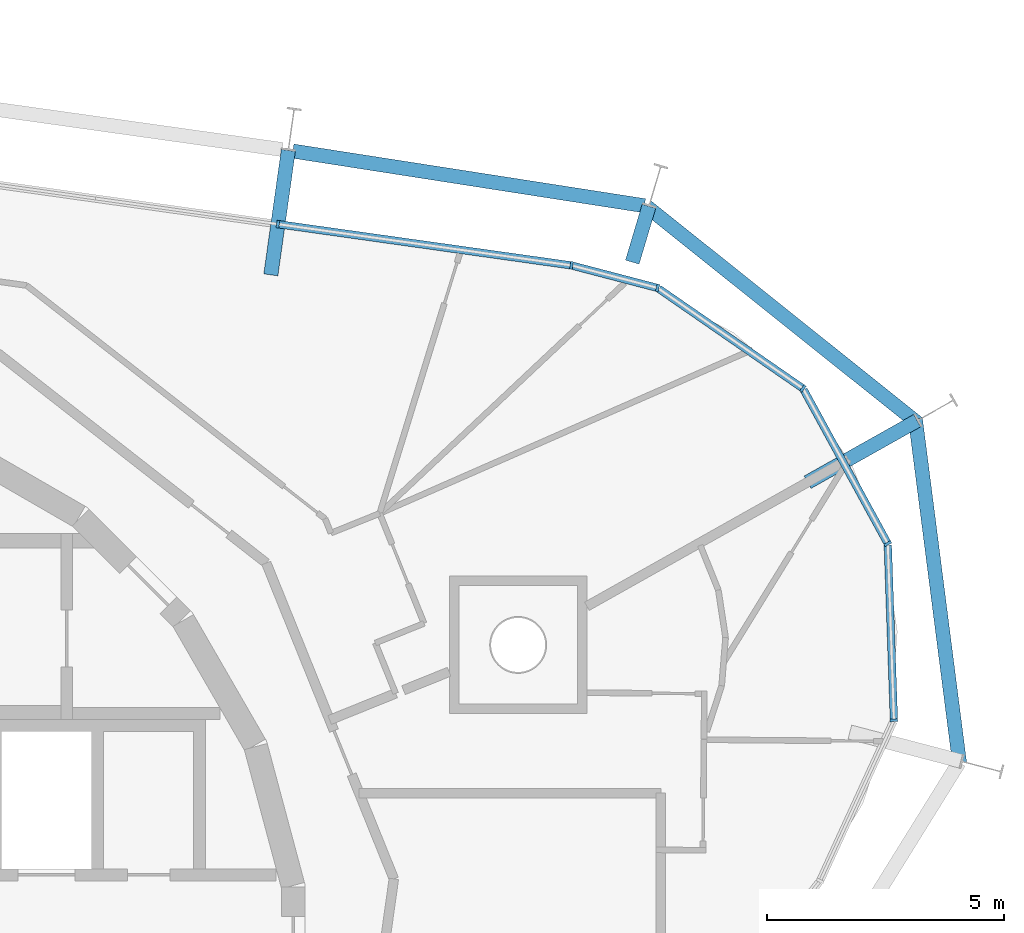
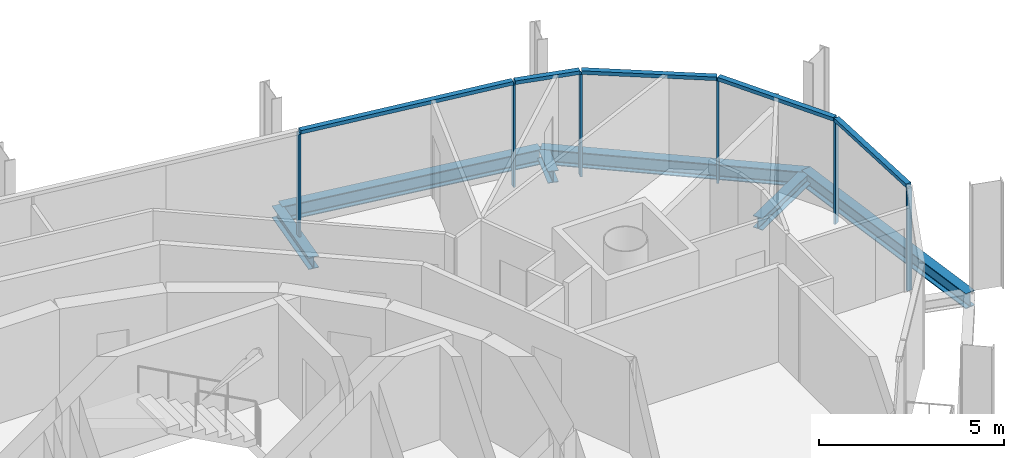
# One storey, part 7 of 15: 11 members, 6 beams, 2 elements without a shape of their own.
"""IFC4 building model written with IfcOpenShell, lengths in metres."""

from ifc_helpers import new_model, si_unit, direction, frame, origin, origin_2d, place, context, subcontext, project, spatial, rectangle, i_section, extrude, material, layer, layer_set, material_profile, profile_set, type_object, element, aggregate, save


model = new_model("IFC4")

# Units and contexts
model_context = context("Model", 3, precision=1e-05, world=origin(), true_north=direction((0.0, 1.0)))
body_context = subcontext(model_context, "Body", "Model", "MODEL_VIEW")
ifc_project = project(units=[si_unit("LENGTHUNIT", "METRE"), si_unit("AREAUNIT", "SQUARE_METRE"), si_unit("VOLUMEUNIT", "CUBIC_METRE"), si_unit("PLANEANGLEUNIT", "RADIAN"), si_unit("MASSUNIT", "GRAM", prefix="KILO")], contexts=[model_context])

# Site, building, storey
site_placement = place(None, origin())
site = spatial("IfcSite", under=ifc_project, at=site_placement, CompositionType="ELEMENT")
building_placement = place(site_placement, origin())
building = spatial("IfcBuilding", under=site, at=building_placement, Name="Spindle Arch Residences", CompositionType="ELEMENT")
storey_placement = place(building_placement, frame((0.0, 0.0, 340.0)))
storey = spatial("IfcBuildingStorey", under=building, at=storey_placement, Name="L87", CompositionType="ELEMENT", Elevation=340.0)

# Curtain wall, members
ifc_material_1 = material(Name="Aluminium bronze unitised frame with tinted glass", Category="aluminium")
ifc_layer_1 = layer(ifc_material_1, 0.159912109375)
ifc_layer_set_1 = layer_set([ifc_layer_1], Name="CW-D corner wall on the fillet arcs")
curtain_wall_type_1 = type_object("IfcCurtainWallType", Name="CW-D corner wall on the fillet arcs", PredefinedType="NOTDEFINED", material=ifc_layer_set_1)
curtain_wall_1_placement = place(storey_placement, origin())
curtain_wall_1 = element("IfcCurtainWall", 1, at=curtain_wall_1_placement, inside=storey, type_object=curtain_wall_type_1, Name="CW-D L87 run 1", PredefinedType="NOTDEFINED")
ifc_material_2 = material(Name="Aluminium bronze anodised mullion", Category="aluminium")
ifc_material_profile_1 = material_profile(ifc_material_2, rectangle(XDim=0.159912109375, YDim=0.06005859375, at=origin_2d()), Name="MU 60x160")
ifc_profile_set_1 = profile_set([ifc_material_profile_1], Name="Aluminium bronze anodised mullion")
member_type_1 = type_object("IfcMemberType", Name="Bronze mullion 60x160", PredefinedType="MULLION", material=ifc_profile_set_1)
member_1_placement = place(storey_placement, frame((24.31201171875, 5.033935546875, -0.3798828125), z_axis=(0.0, 0.0, 1.0), x_axis=(-0.999390827004, -0.034899497139, 0.0)))
member_1 = element("IfcMember", 2, at=member_1_placement, type_object=member_type_1, Name="CW-D mullion 02", PredefinedType="MULLION", context=body_context, shape_type="SweptSolid", body=[
    extrude(rectangle(XDim=0.159912109375, YDim=0.06005859375, at=origin_2d()), origin(), (0.0, 0.0, 1.0), 3.3798828125),
])
member_2_placement = place(storey_placement, frame((24.18212890625, 8.758544921875, -0.3798828125), z_axis=(0.0, 0.0, 1.0), x_axis=(-0.877425397533, -0.479713114021, 0.0)))
member_2 = element("IfcMember", 3, at=member_2_placement, type_object=member_type_1, Name="CW-D mullion 03", PredefinedType="MULLION", context=body_context, shape_type="SweptSolid", body=[
    extrude(rectangle(XDim=0.159912109375, YDim=0.06005859375, at=origin_2d()), origin(), (0.0, 0.0, 1.0), 3.3798828125),
])
member_3_placement = place(storey_placement, frame((22.394287109375, 12.0283203125, -0.3798828125), z_axis=(0.0, 0.0, 1.0), x_axis=(-0.568801123739, -0.822475094841, 0.0)))
member_3 = element("IfcMember", 4, at=member_3_placement, type_object=member_type_1, Name="CW-D mullion 04", PredefinedType="MULLION", context=body_context, shape_type="SweptSolid", body=[
    extrude(rectangle(XDim=0.159912109375, YDim=0.06005859375, at=origin_2d()), origin(), (0.0, 0.0, 1.0), 3.3798828125),
])
member_4_placement = place(storey_placement, frame((19.3291015625, 14.148193359375, -0.3798828125), z_axis=(0.0, 0.0, 1.0), x_axis=(-0.25319517245, -0.967415218326, 0.0)))
member_4 = element("IfcMember", 5, at=member_4_placement, type_object=member_type_1, Name="CW-D mullion 05", PredefinedType="MULLION", context=body_context, shape_type="SweptSolid", body=[
    extrude(rectangle(XDim=0.159912109375, YDim=0.06005859375, at=origin_2d()), origin(), (0.0, 0.0, 1.0), 3.3798828125),
])
member_5_placement = place(storey_placement, frame((17.51416015625, 14.623291015625, -0.3798828125), z_axis=(0.0, 0.0, 1.0), x_axis=(-0.13917310096, -0.990268068742, 0.0)))
member_5 = element("IfcMember", 6, at=member_5_placement, type_object=member_type_1, Name="CW-D mullion 06", PredefinedType="MULLION", context=body_context, shape_type="SweptSolid", body=[
    extrude(rectangle(XDim=0.159912109375, YDim=0.06005859375, at=origin_2d()), origin(), (0.0, 0.0, 1.0), 3.3798828125),
])

# Curtain wall, member
ifc_material_3 = material(Name="Aluminium bronze unitised frame with tinted glass", Category="aluminium")
ifc_layer_2 = layer(ifc_material_3, 0.159912109375)
ifc_layer_set_2 = layer_set([ifc_layer_2], Name="CW-C typical residential unitised wall")
curtain_wall_type_2 = type_object("IfcCurtainWallType", Name="CW-C typical residential unitised wall", PredefinedType="NOTDEFINED", material=ifc_layer_set_2)
curtain_wall_2_placement = place(storey_placement, origin())
curtain_wall_2 = element("IfcCurtainWall", 7, at=curtain_wall_2_placement, inside=storey, type_object=curtain_wall_type_2, Name="CW-C L87 run 2", PredefinedType="NOTDEFINED")
member_6_placement = place(storey_placement, frame((11.326171875, 15.492919921875, -0.3798828125), z_axis=(0.0, 0.0, 1.0), x_axis=(-0.13917310096, -0.990268068742, 0.0)))
member_6 = element("IfcMember", 8, at=member_6_placement, type_object=member_type_1, Name="CW-C mullion 05", PredefinedType="MULLION", context=body_context, shape_type="SweptSolid", body=[
    extrude(rectangle(XDim=0.159912109375, YDim=0.06005859375, at=origin_2d()), origin(), (0.0, 0.0, 1.0), 3.3798828125),
])
aggregate(curtain_wall_2, [member_6])

# Member
ifc_material_4 = material(Name="Aluminium bronze anodised transom", Category="aluminium")
ifc_material_profile_2 = material_profile(ifc_material_4, rectangle(XDim=0.159912109375, YDim=0.1201171875, at=origin_2d()), Name="TR 120x160")
ifc_profile_set_2 = profile_set([ifc_material_profile_2], Name="Aluminium bronze anodised transom")
member_type_2 = type_object("IfcMemberType", Name="Bronze transom 120x160", PredefinedType="USERDEFINED", material=ifc_profile_set_2)
member_7_placement = place(storey_placement, frame((24.31103515625, 5.06396484375, 3.06005859375), z_axis=(-0.034888806725, 0.999391200264, 0.0), x_axis=(-0.999391200264, -0.034888806725, 0.0)))
member_7 = element("IfcMember", 9, at=member_7_placement, type_object=member_type_2, Name="CW-D transom 02", ObjectType="TRANSOM", PredefinedType="USERDEFINED", context=body_context, shape_type="SweptSolid", body=[
    extrude(rectangle(XDim=0.159912109375, YDim=0.1201171875, at=origin_2d()), origin(), (0.0, 0.0, 1.0), 3.666748046875),
])

member_8_placement = place(storey_placement, frame((24.167724609375, 8.784912109375, 3.06005859375), z_axis=(-0.479724247399, 0.877419310511, 0.0), x_axis=(-0.877419310511, -0.479724247399, 0.0)))
member_8 = element("IfcMember", 10, at=member_8_placement, type_object=member_type_2, Name="CW-D transom 03", ObjectType="TRANSOM", PredefinedType="USERDEFINED", context=body_context, shape_type="SweptSolid", body=[
    extrude(rectangle(XDim=0.159912109375, YDim=0.1201171875, at=origin_2d()), origin(), (0.0, 0.0, 1.0), 3.666748046875),
])

member_9_placement = place(storey_placement, frame((22.36962890625, 12.04541015625, 3.06005859375), z_axis=(-0.822474926174, 0.568801367628, 0.0), x_axis=(-0.568801367628, -0.822474926174, 0.0)))
member_9 = element("IfcMember", 11, at=member_9_placement, type_object=member_type_2, Name="CW-D transom 04", ObjectType="TRANSOM", PredefinedType="USERDEFINED", context=body_context, shape_type="SweptSolid", body=[
    extrude(rectangle(XDim=0.159912109375, YDim=0.1201171875, at=origin_2d()), origin(), (0.0, 0.0, 1.0), 3.666748046875),
])

member_10_placement = place(storey_placement, frame((19.300048828125, 14.15576171875, 3.06005859375), z_axis=(-0.96739418578, 0.253275520568, 0.0), x_axis=(-0.253275520568, -0.96739418578, 0.0)))
member_10 = element("IfcMember", 12, at=member_10_placement, type_object=member_type_2, Name="CW-D transom 05", ObjectType="TRANSOM", PredefinedType="USERDEFINED", context=body_context, shape_type="SweptSolid", body=[
    extrude(rectangle(XDim=0.159912109375, YDim=0.1201171875, at=origin_2d()), origin(), (0.0, 0.0, 1.0), 1.816162109375),
])

member_11_placement = place(storey_placement, frame((17.484375, 14.62744140625, 3.06005859375), z_axis=(-0.990267285989, 0.139178670423, 0.0), x_axis=(-0.139178670423, -0.990267285989, 0.0)))
member_11 = element("IfcMember", 13, at=member_11_placement, type_object=member_type_2, Name="CW-D transom 06", ObjectType="TRANSOM", PredefinedType="USERDEFINED", context=body_context, shape_type="SweptSolid", body=[
    extrude(rectangle(XDim=0.159912109375, YDim=0.1201171875, at=origin_2d()), origin(), (0.0, 0.0, 1.0), 6.188720703125),
])

aggregate(curtain_wall_1, [member_1, member_7, member_2, member_8, member_3, member_9, member_4, member_10, member_5, member_11])

# Beams
ifc_material_5 = material(Name="Steel S460ML, intumescent coating R 120", Category="steel")
ifc_material_profile_3 = material_profile(ifc_material_5, i_section(OverallWidth=0.300048828125, OverallDepth=0.5, WebThickness=0.014404296875, FlangeThickness=0.028076171875, FilletRadius=0.027099609375, at=origin_2d()), Name="HEB 500")
ifc_profile_set_3 = profile_set([ifc_material_profile_3], Name="Steel S460ML, intumescent coating R 120")
beam_type_1 = type_object("IfcBeamType", Name="Exoskeleton edge beam HEB 500", PredefinedType="BEAM", material=ifc_profile_set_3)
beam_1_placement = place(storey_placement, frame((25.69580078125, 4.128662109375, -0.6298828125), z_axis=(-0.127344466516, 0.991858551835, 0.0), x_axis=(-0.991858551835, -0.127344466516, 0.0)))
element("IfcBeam", 14, at=beam_1_placement, inside=storey, type_object=beam_type_1, Name="Exoskeleton edge beam 3", PredefinedType="BEAM", context=body_context, shape_type="SweptSolid", body=[
    extrude(i_section(OverallWidth=0.300048828125, OverallDepth=0.5, WebThickness=0.014404296875, FlangeThickness=0.028076171875, FilletRadius=0.027099609375, at=origin_2d()), origin(), (0.0, 0.0, 1.0), 7.31591796875),
])
beam_2_placement = place(storey_placement, frame((24.811279296875, 11.30078125, -0.6298828125), z_axis=(-0.781184527882, 0.624300194937, 0.0), x_axis=(-0.624300194937, -0.781184527882, 0.0)))
element("IfcBeam", 15, at=beam_2_placement, inside=storey, type_object=beam_type_1, Name="Exoskeleton edge beam 4", PredefinedType="BEAM", context=body_context, shape_type="SweptSolid", body=[
    extrude(i_section(OverallWidth=0.300048828125, OverallDepth=0.5, WebThickness=0.014404296875, FlangeThickness=0.028076171875, FilletRadius=0.027099609375, at=origin_2d()), origin(), (0.0, 0.0, 1.0), 7.315673828125),
])
beam_3_placement = place(storey_placement, frame((19.051513671875, 15.881103515625, -0.6298828125), z_axis=(-0.988123169285, 0.15366392655, 0.0), x_axis=(-0.15366392655, -0.988123169285, 0.0)))
element("IfcBeam", 16, at=beam_3_placement, inside=storey, type_object=beam_type_1, Name="Exoskeleton edge beam 5", PredefinedType="BEAM", context=body_context, shape_type="SweptSolid", body=[
    extrude(i_section(OverallWidth=0.300048828125, OverallDepth=0.5, WebThickness=0.014404296875, FlangeThickness=0.028076171875, FilletRadius=0.027099609375, at=origin_2d()), origin(), (0.0, 0.0, 1.0), 7.500732421875),
])
ifc_material_6 = material(Name="Steel S460ML, intumescent coating R 120", Category="steel")
ifc_material_profile_4 = material_profile(ifc_material_6, i_section(OverallWidth=0.300048828125, OverallDepth=0.389892578125, WebThickness=0.010986328125, FlangeThickness=0.01904296875, FilletRadius=0.027099609375, at=origin_2d()), Name="HEA 400")
ifc_profile_set_4 = profile_set([ifc_material_profile_4], Name="Steel S460ML, intumescent coating R 120")
beam_type_2 = type_object("IfcBeamType", Name="Floor outrigger HEA 400", PredefinedType="BEAM", material=ifc_profile_set_4)
beam_4_placement = place(storey_placement, frame((24.801513671875, 11.3505859375, -0.574951171875), z_axis=(-0.871686240554, -0.490064381514, 0.0), x_axis=(0.490064381514, -0.871686240554, 0.0)))
element("IfcBeam", 17, at=beam_4_placement, inside=storey, type_object=beam_type_2, Name="Floor outrigger 4", PredefinedType="BEAM", context=body_context, shape_type="SweptSolid", body=[
    extrude(i_section(OverallWidth=0.300048828125, OverallDepth=0.389892578125, WebThickness=0.010986328125, FlangeThickness=0.01904296875, FilletRadius=0.027099609375, at=origin_2d()), origin(), (0.0, 0.0, 1.0), 2.64990234375),
])
beam_5_placement = place(storey_placement, frame((19.147216796875, 15.869384765625, -0.574951171875), z_axis=(-0.285798722121, -0.958289669377, 0.0), x_axis=(0.958289669377, -0.285798722121, 0.0)))
element("IfcBeam", 18, at=beam_5_placement, inside=storey, type_object=beam_type_2, Name="Floor outrigger 5", PredefinedType="BEAM", context=body_context, shape_type="SweptSolid", body=[
    extrude(i_section(OverallWidth=0.300048828125, OverallDepth=0.389892578125, WebThickness=0.010986328125, FlangeThickness=0.01904296875, FilletRadius=0.027099609375, at=origin_2d()), origin(), (0.0, 0.0, 1.0), 1.229248046875),
])
beam_6_placement = place(storey_placement, frame((11.544921875, 17.047607421875, -0.574951171875), z_axis=(-0.1392026036, -0.990263921968, 0.0), x_axis=(0.990263921968, -0.1392026036, 0.0)))
element("IfcBeam", 19, at=beam_6_placement, inside=storey, type_object=beam_type_2, Name="Floor outrigger 6", PredefinedType="BEAM", context=body_context, shape_type="SweptSolid", body=[
    extrude(i_section(OverallWidth=0.300048828125, OverallDepth=0.389892578125, WebThickness=0.010986328125, FlangeThickness=0.01904296875, FilletRadius=0.027099609375, at=origin_2d()), origin(), (0.0, 0.0, 1.0), 2.650146484375),
])

save(model, "model.ifc")
